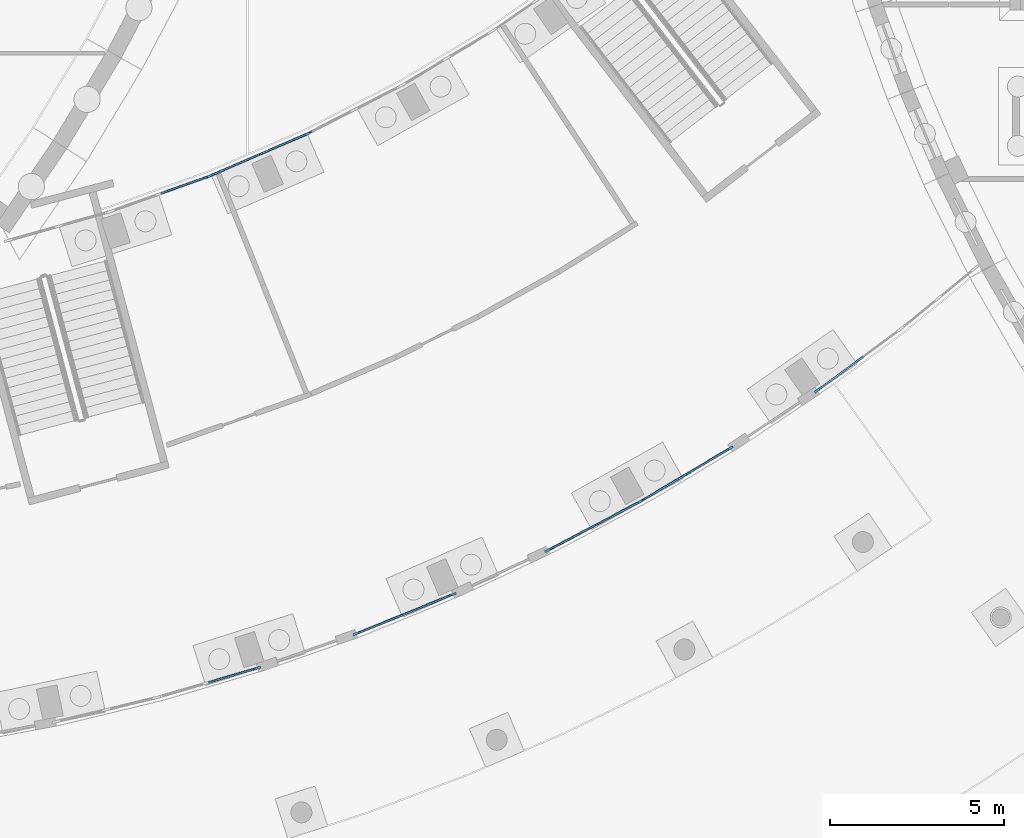
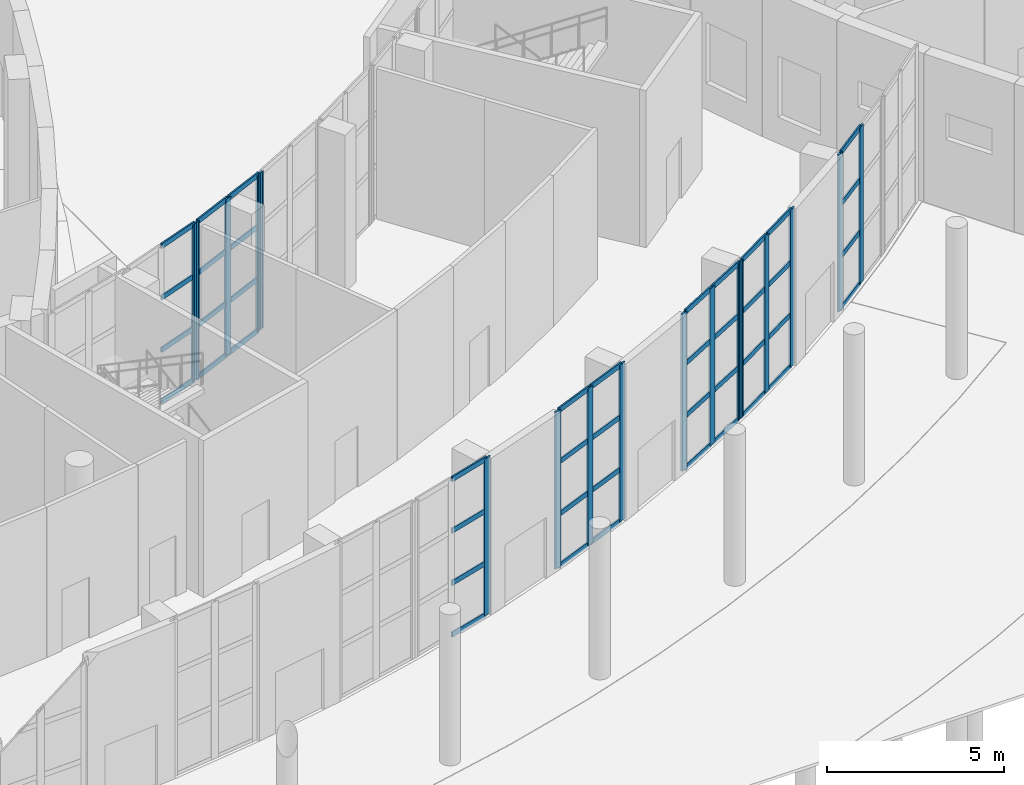
# One storey, part 22 of 82: 61 members, 8 elements without a shape of their own.
"""IFC4 building model written with IfcOpenShell, lengths in metres."""

from ifc_helpers import new_model, si_unit, direction, frame, origin, origin_2d, place, context, subcontext, project, spatial, rectangle, extrude, material, material_profile, profile_set, type_object, element, aggregate, save


model = new_model("IFC4")

# Units and contexts
model_context = context("Model", 3, precision=1e-05, world=origin(), true_north=direction((0.0, 1.0)))
body_context = subcontext(model_context, "Body", "Model", "MODEL_VIEW")
ifc_project = project(units=[si_unit("LENGTHUNIT", "METRE"), si_unit("AREAUNIT", "SQUARE_METRE"), si_unit("VOLUMEUNIT", "CUBIC_METRE"), si_unit("PLANEANGLEUNIT", "RADIAN"), si_unit("MASSUNIT", "GRAM", prefix="KILO")], contexts=[model_context])

# Site, building, storey
site_placement = place(None, origin())
site = spatial("IfcSite", under=ifc_project, at=site_placement, CompositionType="ELEMENT")
building_placement = place(site_placement, origin())
building = spatial("IfcBuilding", under=site, at=building_placement, Name="Tide Square Theatres", CompositionType="ELEMENT")
storey_placement = place(building_placement, origin())
storey = spatial("IfcBuildingStorey", under=building, at=storey_placement, Name="L00", CompositionType="ELEMENT", Elevation=0.0)

# Curtain wall, member
ifc_material_1 = material(Name="Aluminium 6063-T5", Category="aluminium")
curtain_wall_type = type_object("IfcCurtainWallType", Name="Unitised system curtain wall 5400 high", PredefinedType="USERDEFINED", material=ifc_material_1)
curtain_wall_1_placement = place(storey_placement, origin())
curtain_wall_1 = element("IfcCurtainWall", 1, at=curtain_wall_1_placement, inside=storey, type_object=curtain_wall_type, Name="Foyer outer curtain wall", ObjectType="UNITISED SYSTEM", PredefinedType="USERDEFINED")
ifc_material_2 = material(Name="Aluminium 6063-T5", Category="aluminium")
ifc_material_profile_1 = material_profile(ifc_material_2, rectangle(XDim=0.06005859375, YDim=0.25, at=origin_2d()))
ifc_profile_set_1 = profile_set([ifc_material_profile_1], Name="Aluminium 6063-T5")
member_type_1 = type_object("IfcMemberType", Name="Aluminium mullion 60 x 250", PredefinedType="MULLION", material=ifc_profile_set_1)
member_1_placement = place(storey_placement, frame((102.24462890625, 10.97314453125, 0.0), z_axis=(0.0, 0.0, 1.0), x_axis=(-0.281278914607, 0.959626058524, 0.0)))
member_1 = element("IfcMember", 2, at=member_1_placement, type_object=member_type_1, Name="CW-01 mullion 3", PredefinedType="MULLION", context=body_context, shape_type="SweptSolid", body=[
    extrude(rectangle(XDim=0.06005859375, YDim=0.25, at=origin_2d()), origin(), (0.0, 0.0, 1.0), 5.39990234375),
])

# Curtain wall, members
curtain_wall_2_placement = place(storey_placement, origin())
curtain_wall_2 = element("IfcCurtainWall", 3, at=curtain_wall_2_placement, inside=storey, type_object=curtain_wall_type, Name="Foyer outer curtain wall", ObjectType="UNITISED SYSTEM", PredefinedType="USERDEFINED")
member_2_placement = place(storey_placement, frame((105.13037109375, 11.978271484375, 0.0), z_axis=(0.0, 0.0, 1.0), x_axis=(-0.375731450489, 0.9267285887, 0.0)))
member_2 = element("IfcMember", 4, at=member_2_placement, type_object=member_type_1, Name="CW-01 mullion 1", PredefinedType="MULLION", context=body_context, shape_type="SweptSolid", body=[
    extrude(rectangle(XDim=0.06005859375, YDim=0.25, at=origin_2d()), origin(), (0.0, 0.0, 1.0), 5.39990234375),
])
member_3_placement = place(storey_placement, frame((106.490966796875, 12.530029296875, 0.0), z_axis=(0.0, 0.0, 1.0), x_axis=(-0.375731450489, 0.9267285887, 0.0)))
member_3 = element("IfcMember", 5, at=member_3_placement, type_object=member_type_1, Name="CW-01 mullion 2", PredefinedType="MULLION", context=body_context, shape_type="SweptSolid", body=[
    extrude(rectangle(XDim=0.06005859375, YDim=0.25, at=origin_2d()), origin(), (0.0, 0.0, 1.0), 5.39990234375),
])
member_4_placement = place(storey_placement, frame((107.851318359375, 13.08154296875, 0.0), z_axis=(0.0, 0.0, 1.0), x_axis=(-0.375731450489, 0.9267285887, 0.0)))
member_4 = element("IfcMember", 6, at=member_4_placement, type_object=member_type_1, Name="CW-01 mullion 3", PredefinedType="MULLION", context=body_context, shape_type="SweptSolid", body=[
    extrude(rectangle(XDim=0.06005859375, YDim=0.25, at=origin_2d()), origin(), (0.0, 0.0, 1.0), 5.39990234375),
])

curtain_wall_3_placement = place(storey_placement, origin())
curtain_wall_3 = element("IfcCurtainWall", 7, at=curtain_wall_3_placement, inside=storey, type_object=curtain_wall_type, Name="Foyer outer curtain wall", ObjectType="UNITISED SYSTEM", PredefinedType="USERDEFINED")
member_5_placement = place(storey_placement, frame((110.622314453125, 14.369873046875, 0.0), z_axis=(0.0, 0.0, 1.0), x_axis=(-0.466454747277, 0.88454506315, 0.0)))
member_5 = element("IfcMember", 8, at=member_5_placement, type_object=member_type_1, Name="CW-01 mullion 1", PredefinedType="MULLION", context=body_context, shape_type="SweptSolid", body=[
    extrude(rectangle(XDim=0.06005859375, YDim=0.25, at=origin_2d()), origin(), (0.0, 0.0, 1.0), 5.39990234375),
])
member_6_placement = place(storey_placement, frame((111.920654296875, 15.0546875, 0.0), z_axis=(0.0, 0.0, 1.0), x_axis=(-0.466454747277, 0.88454506315, 0.0)))
member_6 = element("IfcMember", 9, at=member_6_placement, type_object=member_type_1, Name="CW-01 mullion 2", PredefinedType="MULLION", context=body_context, shape_type="SweptSolid", body=[
    extrude(rectangle(XDim=0.06005859375, YDim=0.25, at=origin_2d()), origin(), (0.0, 0.0, 1.0), 5.39990234375),
])
member_7_placement = place(storey_placement, frame((113.21923828125, 15.739501953125, 0.0), z_axis=(0.0, 0.0, 1.0), x_axis=(-0.466454747277, 0.88454506315, 0.0)))
member_7 = element("IfcMember", 10, at=member_7_placement, type_object=member_type_1, Name="CW-01 mullion 3", PredefinedType="MULLION", context=body_context, shape_type="SweptSolid", body=[
    extrude(rectangle(XDim=0.06005859375, YDim=0.25, at=origin_2d()), origin(), (0.0, 0.0, 1.0), 5.39990234375),
])

curtain_wall_4_placement = place(storey_placement, origin())
curtain_wall_4 = element("IfcCurtainWall", 11, at=curtain_wall_4_placement, inside=storey, type_object=curtain_wall_type, Name="Foyer outer curtain wall", ObjectType="UNITISED SYSTEM", PredefinedType="USERDEFINED")
member_8_placement = place(storey_placement, frame((113.271484375, 15.768798828125, 0.0), z_axis=(0.0, 0.0, 1.0), x_axis=(-0.510125330576, 0.860100079703, 0.0)))
member_8 = element("IfcMember", 12, at=member_8_placement, type_object=member_type_1, Name="CW-01 mullion 1", PredefinedType="MULLION", context=body_context, shape_type="SweptSolid", body=[
    extrude(rectangle(XDim=0.06005859375, YDim=0.25, at=origin_2d()), origin(), (0.0, 0.0, 1.0), 5.39990234375),
])
member_9_placement = place(storey_placement, frame((114.5341796875, 16.517578125, 0.0), z_axis=(0.0, 0.0, 1.0), x_axis=(-0.510125330576, 0.860100079703, 0.0)))
member_9 = element("IfcMember", 13, at=member_9_placement, type_object=member_type_1, Name="CW-01 mullion 2", PredefinedType="MULLION", context=body_context, shape_type="SweptSolid", body=[
    extrude(rectangle(XDim=0.06005859375, YDim=0.25, at=origin_2d()), origin(), (0.0, 0.0, 1.0), 5.39990234375),
])
member_10_placement = place(storey_placement, frame((115.796875, 17.2666015625, 0.0), z_axis=(0.0, 0.0, 1.0), x_axis=(-0.510125330576, 0.860100079703, 0.0)))
member_10 = element("IfcMember", 14, at=member_10_placement, type_object=member_type_1, Name="CW-01 mullion 3", PredefinedType="MULLION", context=body_context, shape_type="SweptSolid", body=[
    extrude(rectangle(XDim=0.06005859375, YDim=0.25, at=origin_2d()), origin(), (0.0, 0.0, 1.0), 5.39990234375),
])

curtain_wall_5_placement = place(storey_placement, origin())
curtain_wall_5 = element("IfcCurtainWall", 15, at=curtain_wall_5_placement, inside=storey, type_object=curtain_wall_type, Name="Foyer outer curtain wall", ObjectType="UNITISED SYSTEM", PredefinedType="USERDEFINED")
member_11_placement = place(storey_placement, frame((118.343994140625, 18.955078125, 0.0), z_axis=(0.0, 0.0, 1.0), x_axis=(-0.593507553151, 0.804828419201, 0.0)))
member_11 = element("IfcMember", 16, at=member_11_placement, type_object=member_type_1, Name="CW-01 mullion 1", PredefinedType="MULLION", context=body_context, shape_type="SweptSolid", body=[
    extrude(rectangle(XDim=0.06005859375, YDim=0.25, at=origin_2d()), origin(), (0.0, 0.0, 1.0), 5.39990234375),
])
member_12_placement = place(storey_placement, frame((119.525390625, 19.826171875, 0.0), z_axis=(0.0, 0.0, 1.0), x_axis=(-0.593507553151, 0.804828419201, 0.0)))
member_12 = element("IfcMember", 17, at=member_12_placement, type_object=member_type_1, Name="CW-01 mullion 2", PredefinedType="MULLION", context=body_context, shape_type="SweptSolid", body=[
    extrude(rectangle(XDim=0.06005859375, YDim=0.25, at=origin_2d()), origin(), (0.0, 0.0, 1.0), 5.39990234375),
])

# Curtain wall, member
curtain_wall_6_placement = place(storey_placement, origin())
curtain_wall_6 = element("IfcCurtainWall", 18, at=curtain_wall_6_placement, inside=storey, type_object=curtain_wall_type, Name="Foyer inner curtain wall", ObjectType="UNITISED SYSTEM", PredefinedType="USERDEFINED")
member_13_placement = place(storey_placement, frame((103.722412109375, 26.30517578125, 0.0), z_axis=(0.0, 0.0, 1.0), x_axis=(0.456563895791, -0.889690625476, 0.0)))
member_13 = element("IfcMember", 19, at=member_13_placement, type_object=member_type_1, Name="CW-01 mullion 3", PredefinedType="MULLION", context=body_context, shape_type="SweptSolid", body=[
    extrude(rectangle(XDim=0.06005859375, YDim=0.25, at=origin_2d()), origin(), (0.0, 0.0, 1.0), 5.39990234375),
])
aggregate(curtain_wall_6, [member_13])

# Curtain wall, members
curtain_wall_7_placement = place(storey_placement, origin())
curtain_wall_7 = element("IfcCurtainWall", 20, at=curtain_wall_7_placement, inside=storey, type_object=curtain_wall_type, Name="Foyer inner curtain wall", ObjectType="UNITISED SYSTEM", PredefinedType="USERDEFINED")
member_14_placement = place(storey_placement, frame((103.66796875, 26.279541015625, 0.0), z_axis=(0.0, 0.0, 1.0), x_axis=(0.396980103276, -0.917827215549, 0.0)))
member_14 = element("IfcMember", 21, at=member_14_placement, type_object=member_type_1, Name="CW-01 mullion 1", PredefinedType="MULLION", context=body_context, shape_type="SweptSolid", body=[
    extrude(rectangle(XDim=0.06005859375, YDim=0.25, at=origin_2d()), origin(), (0.0, 0.0, 1.0), 5.39990234375),
])
member_15_placement = place(storey_placement, frame((102.301513671875, 25.6884765625, 0.0), z_axis=(0.0, 0.0, 1.0), x_axis=(0.396980103276, -0.917827215549, 0.0)))
member_15 = element("IfcMember", 22, at=member_15_placement, type_object=member_type_1, Name="CW-01 mullion 2", PredefinedType="MULLION", context=body_context, shape_type="SweptSolid", body=[
    extrude(rectangle(XDim=0.06005859375, YDim=0.25, at=origin_2d()), origin(), (0.0, 0.0, 1.0), 5.39990234375),
])
member_16_placement = place(storey_placement, frame((100.934814453125, 25.097412109375, 0.0), z_axis=(0.0, 0.0, 1.0), x_axis=(0.396980103276, -0.917827215549, 0.0)))
member_16 = element("IfcMember", 23, at=member_16_placement, type_object=member_type_1, Name="CW-01 mullion 3", PredefinedType="MULLION", context=body_context, shape_type="SweptSolid", body=[
    extrude(rectangle(XDim=0.06005859375, YDim=0.25, at=origin_2d()), origin(), (0.0, 0.0, 1.0), 5.39990234375),
])

# Curtain wall, member
curtain_wall_8_placement = place(storey_placement, origin())
curtain_wall_8 = element("IfcCurtainWall", 24, at=curtain_wall_8_placement, inside=storey, type_object=curtain_wall_type, Name="Foyer inner curtain wall", ObjectType="UNITISED SYSTEM", PredefinedType="USERDEFINED")
member_17_placement = place(storey_placement, frame((100.879150390625, 25.075439453125, 0.0), z_axis=(0.0, 0.0, 1.0), x_axis=(0.335723260146, -0.941960664039, 0.0)))
member_17 = element("IfcMember", 25, at=member_17_placement, type_object=member_type_1, Name="CW-01 mullion 1", PredefinedType="MULLION", context=body_context, shape_type="SweptSolid", body=[
    extrude(rectangle(XDim=0.06005859375, YDim=0.25, at=origin_2d()), origin(), (0.0, 0.0, 1.0), 5.39990234375),
])

# Member
ifc_material_3 = material(Name="Aluminium 6063-T5", Category="aluminium")
ifc_material_profile_2 = material_profile(ifc_material_3, rectangle(XDim=0.050048828125, YDim=0.175048828125, at=origin_2d()))
ifc_profile_set_2 = profile_set([ifc_material_profile_2], Name="Aluminium 6063-T5")
member_type_2 = type_object("IfcMemberType", Name="Aluminium transom 50 x 175", PredefinedType="USERDEFINED", material=ifc_profile_set_2)
member_18_placement = place(storey_placement, frame((100.864501953125, 10.568603515625, 0.02490234375), z_axis=(0.959597072344, 0.281377786525, 0.0), x_axis=(-0.281377786525, 0.959597072344, 0.0)))
member_18 = element("IfcMember", 26, at=member_18_placement, type_object=member_type_2, Name="CW-01 transom 2.1", ObjectType="TRANSOM", PredefinedType="USERDEFINED", context=body_context, shape_type="SweptSolid", body=[
    extrude(rectangle(XDim=0.050048828125, YDim=0.175048828125, at=origin_2d()), origin(), (0.0, 0.0, 1.0), 1.408203125),
])

member_19_placement = place(storey_placement, frame((100.864501953125, 10.568603515625, 1.800048828125), z_axis=(0.959597072344, 0.281377786525, 0.0), x_axis=(-0.281377786525, 0.959597072344, 0.0)))
member_19 = element("IfcMember", 27, at=member_19_placement, type_object=member_type_2, Name="CW-01 transom 2.2", ObjectType="TRANSOM", PredefinedType="USERDEFINED", context=body_context, shape_type="SweptSolid", body=[
    extrude(rectangle(XDim=0.050048828125, YDim=0.175048828125, at=origin_2d()), origin(), (0.0, 0.0, 1.0), 1.408203125),
])

member_20_placement = place(storey_placement, frame((100.864501953125, 10.568603515625, 3.60009765625), z_axis=(0.959597072344, 0.281377786525, 0.0), x_axis=(-0.281377786525, 0.959597072344, 0.0)))
member_20 = element("IfcMember", 28, at=member_20_placement, type_object=member_type_2, Name="CW-01 transom 2.3", ObjectType="TRANSOM", PredefinedType="USERDEFINED", context=body_context, shape_type="SweptSolid", body=[
    extrude(rectangle(XDim=0.050048828125, YDim=0.175048828125, at=origin_2d()), origin(), (0.0, 0.0, 1.0), 1.408203125),
])

member_21_placement = place(storey_placement, frame((100.864501953125, 10.568603515625, 5.375), z_axis=(0.959597072344, 0.281377786525, 0.0), x_axis=(-0.281377786525, 0.959597072344, 0.0)))
member_21 = element("IfcMember", 29, at=member_21_placement, type_object=member_type_2, Name="CW-01 transom 2.4", ObjectType="TRANSOM", PredefinedType="USERDEFINED", context=body_context, shape_type="SweptSolid", body=[
    extrude(rectangle(XDim=0.050048828125, YDim=0.175048828125, at=origin_2d()), origin(), (0.0, 0.0, 1.0), 1.408203125),
])

aggregate(curtain_wall_1, [member_1, member_18, member_19, member_20, member_21])

member_22_placement = place(storey_placement, frame((105.158203125, 11.98974609375, 0.02490234375), z_axis=(0.926732741743, 0.375721206989, 0.0), x_axis=(-0.375721206989, 0.926732741743, 0.0)))
member_22 = element("IfcMember", 30, at=member_22_placement, type_object=member_type_2, Name="CW-01 transom 1.1", ObjectType="TRANSOM", PredefinedType="USERDEFINED", context=body_context, shape_type="SweptSolid", body=[
    extrude(rectangle(XDim=0.050048828125, YDim=0.175048828125, at=origin_2d()), origin(), (0.0, 0.0, 1.0), 1.408203125),
])

member_23_placement = place(storey_placement, frame((105.158203125, 11.98974609375, 1.800048828125), z_axis=(0.926732741743, 0.375721206989, 0.0), x_axis=(-0.375721206989, 0.926732741743, 0.0)))
member_23 = element("IfcMember", 31, at=member_23_placement, type_object=member_type_2, Name="CW-01 transom 1.2", ObjectType="TRANSOM", PredefinedType="USERDEFINED", context=body_context, shape_type="SweptSolid", body=[
    extrude(rectangle(XDim=0.050048828125, YDim=0.175048828125, at=origin_2d()), origin(), (0.0, 0.0, 1.0), 1.408203125),
])

member_24_placement = place(storey_placement, frame((105.158203125, 11.98974609375, 3.60009765625), z_axis=(0.926732741743, 0.375721206989, 0.0), x_axis=(-0.375721206989, 0.926732741743, 0.0)))
member_24 = element("IfcMember", 32, at=member_24_placement, type_object=member_type_2, Name="CW-01 transom 1.3", ObjectType="TRANSOM", PredefinedType="USERDEFINED", context=body_context, shape_type="SweptSolid", body=[
    extrude(rectangle(XDim=0.050048828125, YDim=0.175048828125, at=origin_2d()), origin(), (0.0, 0.0, 1.0), 1.408203125),
])

member_25_placement = place(storey_placement, frame((105.158203125, 11.98974609375, 5.375), z_axis=(0.926732741743, 0.375721206989, 0.0), x_axis=(-0.375721206989, 0.926732741743, 0.0)))
member_25 = element("IfcMember", 33, at=member_25_placement, type_object=member_type_2, Name="CW-01 transom 1.4", ObjectType="TRANSOM", PredefinedType="USERDEFINED", context=body_context, shape_type="SweptSolid", body=[
    extrude(rectangle(XDim=0.050048828125, YDim=0.175048828125, at=origin_2d()), origin(), (0.0, 0.0, 1.0), 1.408203125),
])

member_26_placement = place(storey_placement, frame((106.5185546875, 12.541259765625, 0.02490234375), z_axis=(0.926732741743, 0.375721206989, 0.0), x_axis=(-0.375721206989, 0.926732741743, 0.0)))
member_26 = element("IfcMember", 34, at=member_26_placement, type_object=member_type_2, Name="CW-01 transom 2.1", ObjectType="TRANSOM", PredefinedType="USERDEFINED", context=body_context, shape_type="SweptSolid", body=[
    extrude(rectangle(XDim=0.050048828125, YDim=0.175048828125, at=origin_2d()), origin(), (0.0, 0.0, 1.0), 1.408203125),
])

member_27_placement = place(storey_placement, frame((106.5185546875, 12.541259765625, 1.800048828125), z_axis=(0.926732741743, 0.375721206989, 0.0), x_axis=(-0.375721206989, 0.926732741743, 0.0)))
member_27 = element("IfcMember", 35, at=member_27_placement, type_object=member_type_2, Name="CW-01 transom 2.2", ObjectType="TRANSOM", PredefinedType="USERDEFINED", context=body_context, shape_type="SweptSolid", body=[
    extrude(rectangle(XDim=0.050048828125, YDim=0.175048828125, at=origin_2d()), origin(), (0.0, 0.0, 1.0), 1.408203125),
])

member_28_placement = place(storey_placement, frame((106.5185546875, 12.541259765625, 3.60009765625), z_axis=(0.926732741743, 0.375721206989, 0.0), x_axis=(-0.375721206989, 0.926732741743, 0.0)))
member_28 = element("IfcMember", 36, at=member_28_placement, type_object=member_type_2, Name="CW-01 transom 2.3", ObjectType="TRANSOM", PredefinedType="USERDEFINED", context=body_context, shape_type="SweptSolid", body=[
    extrude(rectangle(XDim=0.050048828125, YDim=0.175048828125, at=origin_2d()), origin(), (0.0, 0.0, 1.0), 1.408203125),
])

member_29_placement = place(storey_placement, frame((106.5185546875, 12.541259765625, 5.375), z_axis=(0.926732741743, 0.375721206989, 0.0), x_axis=(-0.375721206989, 0.926732741743, 0.0)))
member_29 = element("IfcMember", 37, at=member_29_placement, type_object=member_type_2, Name="CW-01 transom 2.4", ObjectType="TRANSOM", PredefinedType="USERDEFINED", context=body_context, shape_type="SweptSolid", body=[
    extrude(rectangle(XDim=0.050048828125, YDim=0.175048828125, at=origin_2d()), origin(), (0.0, 0.0, 1.0), 1.408203125),
])

aggregate(curtain_wall_2, [member_2, member_3, member_4, member_22, member_23, member_24, member_25, member_26, member_27, member_28, member_29])

member_30_placement = place(storey_placement, frame((110.648681640625, 14.384033203125, 0.02490234375), z_axis=(0.884579504797, 0.466389429225, 0.0), x_axis=(-0.466389429225, 0.884579504797, 0.0)))
member_30 = element("IfcMember", 38, at=member_30_placement, type_object=member_type_2, Name="CW-01 transom 1.1", ObjectType="TRANSOM", PredefinedType="USERDEFINED", context=body_context, shape_type="SweptSolid", body=[
    extrude(rectangle(XDim=0.050048828125, YDim=0.175048828125, at=origin_2d()), origin(), (0.0, 0.0, 1.0), 1.408203125),
])

member_31_placement = place(storey_placement, frame((110.648681640625, 14.384033203125, 1.800048828125), z_axis=(0.884579504797, 0.466389429225, 0.0), x_axis=(-0.466389429225, 0.884579504797, 0.0)))
member_31 = element("IfcMember", 39, at=member_31_placement, type_object=member_type_2, Name="CW-01 transom 1.2", ObjectType="TRANSOM", PredefinedType="USERDEFINED", context=body_context, shape_type="SweptSolid", body=[
    extrude(rectangle(XDim=0.050048828125, YDim=0.175048828125, at=origin_2d()), origin(), (0.0, 0.0, 1.0), 1.408203125),
])

member_32_placement = place(storey_placement, frame((110.648681640625, 14.384033203125, 3.60009765625), z_axis=(0.884579504797, 0.466389429225, 0.0), x_axis=(-0.466389429225, 0.884579504797, 0.0)))
member_32 = element("IfcMember", 40, at=member_32_placement, type_object=member_type_2, Name="CW-01 transom 1.3", ObjectType="TRANSOM", PredefinedType="USERDEFINED", context=body_context, shape_type="SweptSolid", body=[
    extrude(rectangle(XDim=0.050048828125, YDim=0.175048828125, at=origin_2d()), origin(), (0.0, 0.0, 1.0), 1.408203125),
])

member_33_placement = place(storey_placement, frame((110.648681640625, 14.384033203125, 5.375), z_axis=(0.884579504797, 0.466389429225, 0.0), x_axis=(-0.466389429225, 0.884579504797, 0.0)))
member_33 = element("IfcMember", 41, at=member_33_placement, type_object=member_type_2, Name="CW-01 transom 1.4", ObjectType="TRANSOM", PredefinedType="USERDEFINED", context=body_context, shape_type="SweptSolid", body=[
    extrude(rectangle(XDim=0.050048828125, YDim=0.175048828125, at=origin_2d()), origin(), (0.0, 0.0, 1.0), 1.408203125),
])

member_34_placement = place(storey_placement, frame((111.947265625, 15.06884765625, 0.02490234375), z_axis=(0.884541782882, 0.466460967644, 0.0), x_axis=(-0.466460967644, 0.884541782882, 0.0)))
member_34 = element("IfcMember", 42, at=member_34_placement, type_object=member_type_2, Name="CW-01 transom 2.1", ObjectType="TRANSOM", PredefinedType="USERDEFINED", context=body_context, shape_type="SweptSolid", body=[
    extrude(rectangle(XDim=0.050048828125, YDim=0.175048828125, at=origin_2d()), origin(), (0.0, 0.0, 1.0), 1.407958984375),
])

member_35_placement = place(storey_placement, frame((111.947265625, 15.06884765625, 1.800048828125), z_axis=(0.884541782882, 0.466460967644, 0.0), x_axis=(-0.466460967644, 0.884541782882, 0.0)))
member_35 = element("IfcMember", 43, at=member_35_placement, type_object=member_type_2, Name="CW-01 transom 2.2", ObjectType="TRANSOM", PredefinedType="USERDEFINED", context=body_context, shape_type="SweptSolid", body=[
    extrude(rectangle(XDim=0.050048828125, YDim=0.175048828125, at=origin_2d()), origin(), (0.0, 0.0, 1.0), 1.407958984375),
])

member_36_placement = place(storey_placement, frame((111.947265625, 15.06884765625, 3.60009765625), z_axis=(0.884541782882, 0.466460967644, 0.0), x_axis=(-0.466460967644, 0.884541782882, 0.0)))
member_36 = element("IfcMember", 44, at=member_36_placement, type_object=member_type_2, Name="CW-01 transom 2.3", ObjectType="TRANSOM", PredefinedType="USERDEFINED", context=body_context, shape_type="SweptSolid", body=[
    extrude(rectangle(XDim=0.050048828125, YDim=0.175048828125, at=origin_2d()), origin(), (0.0, 0.0, 1.0), 1.407958984375),
])

member_37_placement = place(storey_placement, frame((111.947265625, 15.06884765625, 5.375), z_axis=(0.884541782882, 0.466460967644, 0.0), x_axis=(-0.466460967644, 0.884541782882, 0.0)))
member_37 = element("IfcMember", 45, at=member_37_placement, type_object=member_type_2, Name="CW-01 transom 2.4", ObjectType="TRANSOM", PredefinedType="USERDEFINED", context=body_context, shape_type="SweptSolid", body=[
    extrude(rectangle(XDim=0.050048828125, YDim=0.175048828125, at=origin_2d()), origin(), (0.0, 0.0, 1.0), 1.407958984375),
])

aggregate(curtain_wall_3, [member_5, member_6, member_7, member_30, member_31, member_32, member_33, member_34, member_35, member_36, member_37])

member_38_placement = place(storey_placement, frame((113.29736328125, 15.7841796875, 0.02490234375), z_axis=(0.860083025037, 0.510154084609, 0.0), x_axis=(-0.510154084609, 0.860083025037, 0.0)))
member_38 = element("IfcMember", 46, at=member_38_placement, type_object=member_type_2, Name="CW-01 transom 1.1", ObjectType="TRANSOM", PredefinedType="USERDEFINED", context=body_context, shape_type="SweptSolid", body=[
    extrude(rectangle(XDim=0.050048828125, YDim=0.175048828125, at=origin_2d()), origin(), (0.0, 0.0, 1.0), 1.407958984375),
])

member_39_placement = place(storey_placement, frame((113.29736328125, 15.7841796875, 1.800048828125), z_axis=(0.860083025037, 0.510154084609, 0.0), x_axis=(-0.510154084609, 0.860083025037, 0.0)))
member_39 = element("IfcMember", 47, at=member_39_placement, type_object=member_type_2, Name="CW-01 transom 1.2", ObjectType="TRANSOM", PredefinedType="USERDEFINED", context=body_context, shape_type="SweptSolid", body=[
    extrude(rectangle(XDim=0.050048828125, YDim=0.175048828125, at=origin_2d()), origin(), (0.0, 0.0, 1.0), 1.407958984375),
])

member_40_placement = place(storey_placement, frame((113.29736328125, 15.7841796875, 3.60009765625), z_axis=(0.860083025037, 0.510154084609, 0.0), x_axis=(-0.510154084609, 0.860083025037, 0.0)))
member_40 = element("IfcMember", 48, at=member_40_placement, type_object=member_type_2, Name="CW-01 transom 1.3", ObjectType="TRANSOM", PredefinedType="USERDEFINED", context=body_context, shape_type="SweptSolid", body=[
    extrude(rectangle(XDim=0.050048828125, YDim=0.175048828125, at=origin_2d()), origin(), (0.0, 0.0, 1.0), 1.407958984375),
])

member_41_placement = place(storey_placement, frame((113.29736328125, 15.7841796875, 5.375), z_axis=(0.860083025037, 0.510154084609, 0.0), x_axis=(-0.510154084609, 0.860083025037, 0.0)))
member_41 = element("IfcMember", 49, at=member_41_placement, type_object=member_type_2, Name="CW-01 transom 1.4", ObjectType="TRANSOM", PredefinedType="USERDEFINED", context=body_context, shape_type="SweptSolid", body=[
    extrude(rectangle(XDim=0.050048828125, YDim=0.175048828125, at=origin_2d()), origin(), (0.0, 0.0, 1.0), 1.407958984375),
])

member_42_placement = place(storey_placement, frame((114.56005859375, 16.532958984375, 0.02490234375), z_axis=(0.860083025037, 0.510154084609, 0.0), x_axis=(-0.510154084609, 0.860083025037, 0.0)))
member_42 = element("IfcMember", 50, at=member_42_placement, type_object=member_type_2, Name="CW-01 transom 2.1", ObjectType="TRANSOM", PredefinedType="USERDEFINED", context=body_context, shape_type="SweptSolid", body=[
    extrude(rectangle(XDim=0.050048828125, YDim=0.175048828125, at=origin_2d()), origin(), (0.0, 0.0, 1.0), 1.407958984375),
])

member_43_placement = place(storey_placement, frame((114.56005859375, 16.532958984375, 1.800048828125), z_axis=(0.860083025037, 0.510154084609, 0.0), x_axis=(-0.510154084609, 0.860083025037, 0.0)))
member_43 = element("IfcMember", 51, at=member_43_placement, type_object=member_type_2, Name="CW-01 transom 2.2", ObjectType="TRANSOM", PredefinedType="USERDEFINED", context=body_context, shape_type="SweptSolid", body=[
    extrude(rectangle(XDim=0.050048828125, YDim=0.175048828125, at=origin_2d()), origin(), (0.0, 0.0, 1.0), 1.407958984375),
])

member_44_placement = place(storey_placement, frame((114.56005859375, 16.532958984375, 3.60009765625), z_axis=(0.860083025037, 0.510154084609, 0.0), x_axis=(-0.510154084609, 0.860083025037, 0.0)))
member_44 = element("IfcMember", 52, at=member_44_placement, type_object=member_type_2, Name="CW-01 transom 2.3", ObjectType="TRANSOM", PredefinedType="USERDEFINED", context=body_context, shape_type="SweptSolid", body=[
    extrude(rectangle(XDim=0.050048828125, YDim=0.175048828125, at=origin_2d()), origin(), (0.0, 0.0, 1.0), 1.407958984375),
])

member_45_placement = place(storey_placement, frame((114.56005859375, 16.532958984375, 5.375), z_axis=(0.860083025037, 0.510154084609, 0.0), x_axis=(-0.510154084609, 0.860083025037, 0.0)))
member_45 = element("IfcMember", 53, at=member_45_placement, type_object=member_type_2, Name="CW-01 transom 2.4", ObjectType="TRANSOM", PredefinedType="USERDEFINED", context=body_context, shape_type="SweptSolid", body=[
    extrude(rectangle(XDim=0.050048828125, YDim=0.175048828125, at=origin_2d()), origin(), (0.0, 0.0, 1.0), 1.407958984375),
])

aggregate(curtain_wall_4, [member_8, member_9, member_10, member_38, member_39, member_40, member_41, member_42, member_43, member_44, member_45])

member_46_placement = place(storey_placement, frame((118.3681640625, 18.972900390625, 0.02490234375), z_axis=(0.80486400064, 0.593459299761, 0.0), x_axis=(-0.593459299761, 0.80486400064, 0.0)))
member_46 = element("IfcMember", 54, at=member_46_placement, type_object=member_type_2, Name="CW-01 transom 1.1", ObjectType="TRANSOM", PredefinedType="USERDEFINED", context=body_context, shape_type="SweptSolid", body=[
    extrude(rectangle(XDim=0.050048828125, YDim=0.175048828125, at=origin_2d()), origin(), (0.0, 0.0, 1.0), 1.40771484375),
])

member_47_placement = place(storey_placement, frame((118.3681640625, 18.972900390625, 1.800048828125), z_axis=(0.80486400064, 0.593459299761, 0.0), x_axis=(-0.593459299761, 0.80486400064, 0.0)))
member_47 = element("IfcMember", 55, at=member_47_placement, type_object=member_type_2, Name="CW-01 transom 1.2", ObjectType="TRANSOM", PredefinedType="USERDEFINED", context=body_context, shape_type="SweptSolid", body=[
    extrude(rectangle(XDim=0.050048828125, YDim=0.175048828125, at=origin_2d()), origin(), (0.0, 0.0, 1.0), 1.40771484375),
])

member_48_placement = place(storey_placement, frame((118.3681640625, 18.972900390625, 3.60009765625), z_axis=(0.80486400064, 0.593459299761, 0.0), x_axis=(-0.593459299761, 0.80486400064, 0.0)))
member_48 = element("IfcMember", 56, at=member_48_placement, type_object=member_type_2, Name="CW-01 transom 1.3", ObjectType="TRANSOM", PredefinedType="USERDEFINED", context=body_context, shape_type="SweptSolid", body=[
    extrude(rectangle(XDim=0.050048828125, YDim=0.175048828125, at=origin_2d()), origin(), (0.0, 0.0, 1.0), 1.40771484375),
])

member_49_placement = place(storey_placement, frame((118.3681640625, 18.972900390625, 5.375), z_axis=(0.80486400064, 0.593459299761, 0.0), x_axis=(-0.593459299761, 0.80486400064, 0.0)))
member_49 = element("IfcMember", 57, at=member_49_placement, type_object=member_type_2, Name="CW-01 transom 1.4", ObjectType="TRANSOM", PredefinedType="USERDEFINED", context=body_context, shape_type="SweptSolid", body=[
    extrude(rectangle(XDim=0.050048828125, YDim=0.175048828125, at=origin_2d()), origin(), (0.0, 0.0, 1.0), 1.40771484375),
])

aggregate(curtain_wall_5, [member_11, member_12, member_46, member_47, member_48, member_49])

member_50_placement = place(storey_placement, frame((103.640625, 26.267578125, 0.02490234375), z_axis=(-0.917796466165, -0.397051189011, 0.0), x_axis=(0.397051189011, -0.917796466165, 0.0)))
member_50 = element("IfcMember", 58, at=member_50_placement, type_object=member_type_2, Name="CW-01 transom 1.1", ObjectType="TRANSOM", PredefinedType="USERDEFINED", context=body_context, shape_type="SweptSolid", body=[
    extrude(rectangle(XDim=0.050048828125, YDim=0.175048828125, at=origin_2d()), origin(), (0.0, 0.0, 1.0), 1.428955078125),
])

member_51_placement = place(storey_placement, frame((103.640625, 26.267578125, 1.800048828125), z_axis=(-0.917796466165, -0.397051189011, 0.0), x_axis=(0.397051189011, -0.917796466165, 0.0)))
member_51 = element("IfcMember", 59, at=member_51_placement, type_object=member_type_2, Name="CW-01 transom 1.2", ObjectType="TRANSOM", PredefinedType="USERDEFINED", context=body_context, shape_type="SweptSolid", body=[
    extrude(rectangle(XDim=0.050048828125, YDim=0.175048828125, at=origin_2d()), origin(), (0.0, 0.0, 1.0), 1.428955078125),
])

member_52_placement = place(storey_placement, frame((103.640625, 26.267578125, 3.60009765625), z_axis=(-0.917796466165, -0.397051189011, 0.0), x_axis=(0.397051189011, -0.917796466165, 0.0)))
member_52 = element("IfcMember", 60, at=member_52_placement, type_object=member_type_2, Name="CW-01 transom 1.3", ObjectType="TRANSOM", PredefinedType="USERDEFINED", context=body_context, shape_type="SweptSolid", body=[
    extrude(rectangle(XDim=0.050048828125, YDim=0.175048828125, at=origin_2d()), origin(), (0.0, 0.0, 1.0), 1.428955078125),
])

member_53_placement = place(storey_placement, frame((103.640625, 26.267578125, 5.375), z_axis=(-0.917796466165, -0.397051189011, 0.0), x_axis=(0.397051189011, -0.917796466165, 0.0)))
member_53 = element("IfcMember", 61, at=member_53_placement, type_object=member_type_2, Name="CW-01 transom 1.4", ObjectType="TRANSOM", PredefinedType="USERDEFINED", context=body_context, shape_type="SweptSolid", body=[
    extrude(rectangle(XDim=0.050048828125, YDim=0.175048828125, at=origin_2d()), origin(), (0.0, 0.0, 1.0), 1.428955078125),
])

member_54_placement = place(storey_placement, frame((102.27392578125, 25.676513671875, 0.02490234375), z_axis=(-0.917796466165, -0.397051189011, 0.0), x_axis=(0.397051189011, -0.917796466165, 0.0)))
member_54 = element("IfcMember", 62, at=member_54_placement, type_object=member_type_2, Name="CW-01 transom 2.1", ObjectType="TRANSOM", PredefinedType="USERDEFINED", context=body_context, shape_type="SweptSolid", body=[
    extrude(rectangle(XDim=0.050048828125, YDim=0.175048828125, at=origin_2d()), origin(), (0.0, 0.0, 1.0), 1.428955078125),
])

member_55_placement = place(storey_placement, frame((102.27392578125, 25.676513671875, 1.800048828125), z_axis=(-0.917796466165, -0.397051189011, 0.0), x_axis=(0.397051189011, -0.917796466165, 0.0)))
member_55 = element("IfcMember", 63, at=member_55_placement, type_object=member_type_2, Name="CW-01 transom 2.2", ObjectType="TRANSOM", PredefinedType="USERDEFINED", context=body_context, shape_type="SweptSolid", body=[
    extrude(rectangle(XDim=0.050048828125, YDim=0.175048828125, at=origin_2d()), origin(), (0.0, 0.0, 1.0), 1.428955078125),
])

member_56_placement = place(storey_placement, frame((102.27392578125, 25.676513671875, 3.60009765625), z_axis=(-0.917796466165, -0.397051189011, 0.0), x_axis=(0.397051189011, -0.917796466165, 0.0)))
member_56 = element("IfcMember", 64, at=member_56_placement, type_object=member_type_2, Name="CW-01 transom 2.3", ObjectType="TRANSOM", PredefinedType="USERDEFINED", context=body_context, shape_type="SweptSolid", body=[
    extrude(rectangle(XDim=0.050048828125, YDim=0.175048828125, at=origin_2d()), origin(), (0.0, 0.0, 1.0), 1.428955078125),
])

member_57_placement = place(storey_placement, frame((102.27392578125, 25.676513671875, 5.375), z_axis=(-0.917796466165, -0.397051189011, 0.0), x_axis=(0.397051189011, -0.917796466165, 0.0)))
member_57 = element("IfcMember", 65, at=member_57_placement, type_object=member_type_2, Name="CW-01 transom 2.4", ObjectType="TRANSOM", PredefinedType="USERDEFINED", context=body_context, shape_type="SweptSolid", body=[
    extrude(rectangle(XDim=0.050048828125, YDim=0.175048828125, at=origin_2d()), origin(), (0.0, 0.0, 1.0), 1.428955078125),
])

aggregate(curtain_wall_7, [member_14, member_15, member_16, member_50, member_51, member_52, member_53, member_54, member_55, member_56, member_57])

member_58_placement = place(storey_placement, frame((100.850830078125, 25.065185546875, 0.02490234375), z_axis=(-0.94197358785, -0.335686996758, 0.0), x_axis=(0.335686996758, -0.94197358785, 0.0)))
member_58 = element("IfcMember", 66, at=member_58_placement, type_object=member_type_2, Name="CW-01 transom 1.1", ObjectType="TRANSOM", PredefinedType="USERDEFINED", context=body_context, shape_type="SweptSolid", body=[
    extrude(rectangle(XDim=0.050048828125, YDim=0.175048828125, at=origin_2d()), origin(), (0.0, 0.0, 1.0), 1.42919921875),
])

member_59_placement = place(storey_placement, frame((100.850830078125, 25.065185546875, 1.800048828125), z_axis=(-0.94197358785, -0.335686996758, 0.0), x_axis=(0.335686996758, -0.94197358785, 0.0)))
member_59 = element("IfcMember", 67, at=member_59_placement, type_object=member_type_2, Name="CW-01 transom 1.2", ObjectType="TRANSOM", PredefinedType="USERDEFINED", context=body_context, shape_type="SweptSolid", body=[
    extrude(rectangle(XDim=0.050048828125, YDim=0.175048828125, at=origin_2d()), origin(), (0.0, 0.0, 1.0), 1.42919921875),
])

member_60_placement = place(storey_placement, frame((100.850830078125, 25.065185546875, 3.60009765625), z_axis=(-0.94197358785, -0.335686996758, 0.0), x_axis=(0.335686996758, -0.94197358785, 0.0)))
member_60 = element("IfcMember", 68, at=member_60_placement, type_object=member_type_2, Name="CW-01 transom 1.3", ObjectType="TRANSOM", PredefinedType="USERDEFINED", context=body_context, shape_type="SweptSolid", body=[
    extrude(rectangle(XDim=0.050048828125, YDim=0.175048828125, at=origin_2d()), origin(), (0.0, 0.0, 1.0), 1.42919921875),
])

member_61_placement = place(storey_placement, frame((100.850830078125, 25.065185546875, 5.375), z_axis=(-0.94197358785, -0.335686996758, 0.0), x_axis=(0.335686996758, -0.94197358785, 0.0)))
member_61 = element("IfcMember", 69, at=member_61_placement, type_object=member_type_2, Name="CW-01 transom 1.4", ObjectType="TRANSOM", PredefinedType="USERDEFINED", context=body_context, shape_type="SweptSolid", body=[
    extrude(rectangle(XDim=0.050048828125, YDim=0.175048828125, at=origin_2d()), origin(), (0.0, 0.0, 1.0), 1.42919921875),
])

aggregate(curtain_wall_8, [member_17, member_58, member_59, member_60, member_61])

save(model, "model.ifc")
